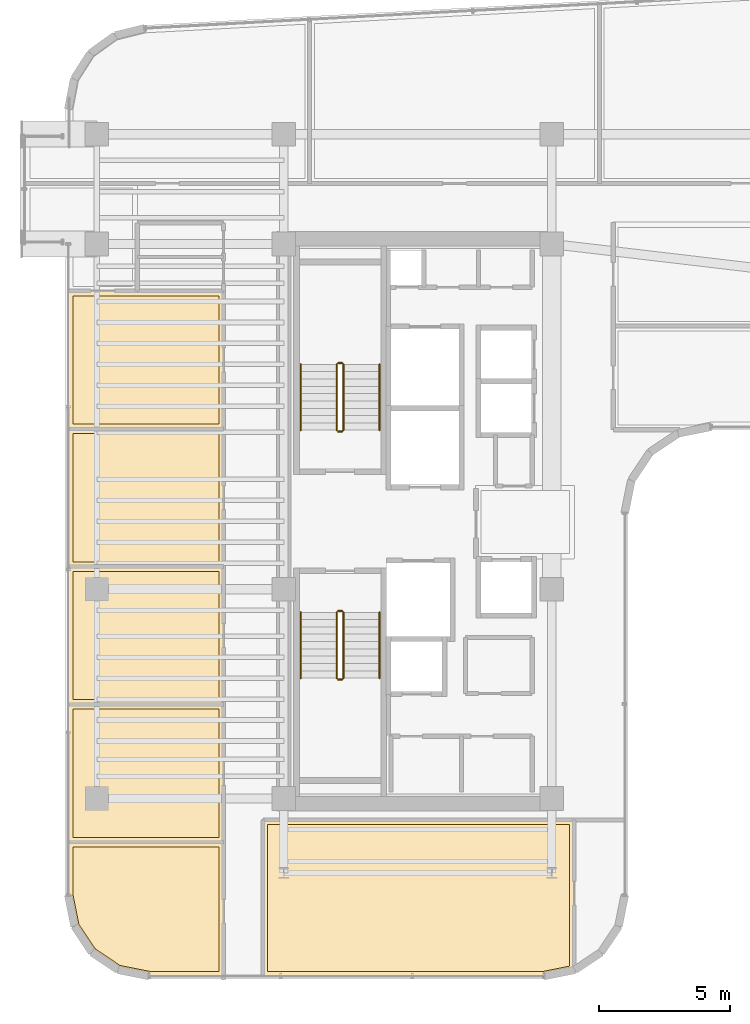
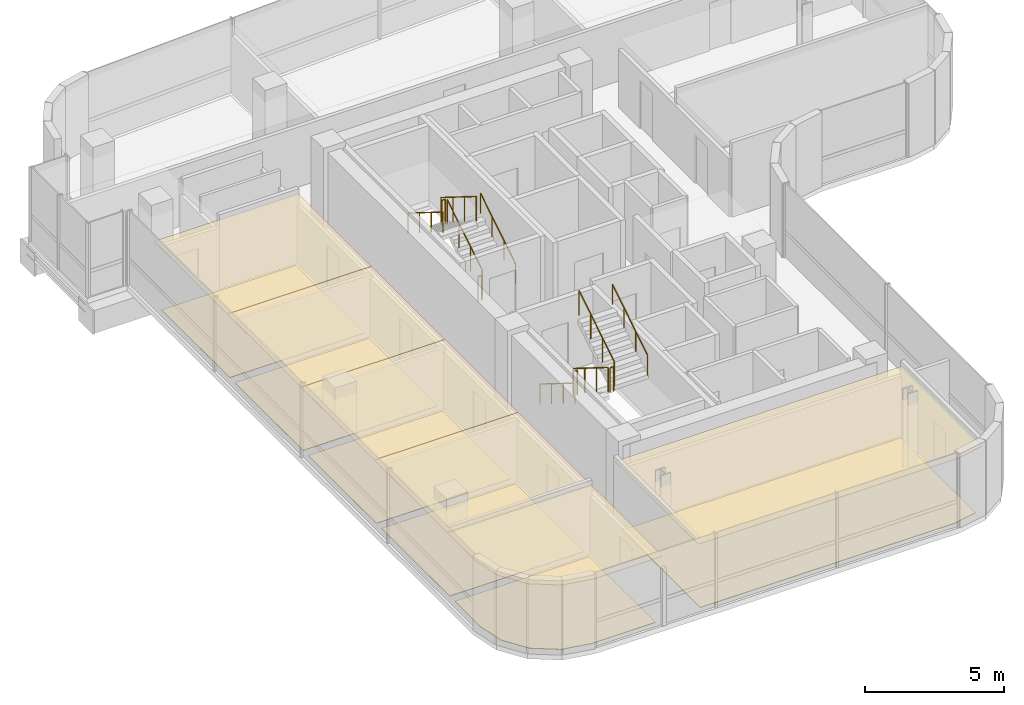
# One storey, part 20 of 21: 12 coverings, 12 railings.
"""IFC4 building model written with IfcOpenShell, lengths in metres."""

from ifc_helpers import new_model, si_unit, direction, frame, origin, origin_2d, place, context, subcontext, project, spatial, polyline, circle, outline, extrude, material, layer, layer_set, type_object, element, save


model = new_model("IFC4")

# Units and contexts
model_context = context("Model", 3, precision=1e-05, world=origin(), true_north=direction((0.0, 1.0)))
body_context = subcontext(model_context, "Body", "Model", "MODEL_VIEW")
ifc_project = project(units=[si_unit("LENGTHUNIT", "METRE"), si_unit("AREAUNIT", "SQUARE_METRE"), si_unit("VOLUMEUNIT", "CUBIC_METRE"), si_unit("PLANEANGLEUNIT", "RADIAN"), si_unit("MASSUNIT", "GRAM", prefix="KILO")], contexts=[model_context])

# Site, building, storey
site_placement = place(None, origin())
site = spatial("IfcSite", under=ifc_project, at=site_placement, CompositionType="ELEMENT")
building_placement = place(site_placement, origin())
building = spatial("IfcBuilding", under=site, at=building_placement, Name="Valdorenza Pilgrim Sanctuary Tower", CompositionType="ELEMENT")
storey_placement = place(building_placement, frame((0.0, 0.0, 223.0)))
storey = spatial("IfcBuildingStorey", under=building, at=storey_placement, Name="L57", CompositionType="ELEMENT", Elevation=223.0)

# Coverings
ifc_material_1 = material(Name="Micro-perforated acoustic mineral ceiling tile", Category="gypsum")
ifc_layer_1 = layer(ifc_material_1, 0.02490234375, Name="Micro-perforated acoustic mineral ceiling tile")
ifc_layer_set_1 = layer_set([ifc_layer_1], Name="Micro-perforated acoustic mineral ceiling tile")
covering_type_1 = type_object("IfcCoveringType", Name="COV-CLG-ACU", PredefinedType="CEILING", material=ifc_layer_set_1)
covering_1_placement = place(storey_placement, frame((0.0, 0.0, 2.9599609375)))
element("IfcCovering", 1, at=covering_1_placement, inside=storey, type_object=covering_type_1, Name="L57 Pilgrim Scholar Office L57-W1 Acoustic Ceiling", PredefinedType="CEILING", context=body_context, shape_type="SweptSolid", body=[
    extrude(outline(polyline([(-24.93505859375, -17.389892578125), (-24.93505859375, -17.3916015625), (-24.935302734375, -17.392822265625), (-24.935546875, -17.394287109375), (-24.93603515625, -17.395751953125), (-24.936767578125, -17.397216796875), (-24.9375, -17.398193359375), (-24.9384765625, -17.3994140625), (-24.939453125, -17.400634765625), (-24.9404296875, -17.401611328125), (-24.941650390625, -17.402587890625), (-24.94287109375, -17.4033203125), (-24.9443359375, -17.40380859375), (-24.945556640625, -17.404296875), (-24.947021484375, -17.40478515625), (-24.948486328125, -17.40478515625), (-24.949951171875, -17.405029296875), (-27.789306640625, -17.405029296875), (-27.79052734375, -17.40478515625), (-27.7919921875, -17.40478515625), (-28.984619140625, -17.16748046875), (-28.986083984375, -17.1669921875), (-28.9873046875, -17.16650390625), (-28.98876953125, -17.166015625), (-28.989990234375, -17.165283203125), (-29.99169921875, -16.495849609375), (-29.992919921875, -16.4951171875), (-29.993896484375, -16.493896484375), (-29.9951171875, -16.492919921875), (-29.995849609375, -16.49169921875), (-30.665283203125, -15.489990234375), (-30.666015625, -15.48876953125), (-30.66650390625, -15.4873046875), (-30.6669921875, -15.486083984375), (-30.66748046875, -15.484619140625), (-30.90478515625, -14.2919921875), (-30.90478515625, -14.29052734375), (-30.905029296875, -14.289306640625), (-30.905029296875, -12.27197265625), (-30.90478515625, -12.2705078125), (-30.90478515625, -12.26904296875), (-30.904296875, -12.267578125), (-30.90380859375, -12.266357421875), (-30.9033203125, -12.264892578125), (-30.902587890625, -12.263671875), (-30.901611328125, -12.262451171875), (-30.900634765625, -12.261474609375), (-30.8994140625, -12.260498046875), (-30.898193359375, -12.259521484375), (-30.897216796875, -12.2587890625), (-30.895751953125, -12.258056640625), (-30.894287109375, -12.257568359375), (-30.892822265625, -12.25732421875), (-30.8916015625, -12.257080078125), (-30.889892578125, -12.257080078125), (-24.949951171875, -12.257080078125), (-24.948486328125, -12.257080078125), (-24.947021484375, -12.25732421875), (-24.945556640625, -12.257568359375), (-24.9443359375, -12.258056640625), (-24.94287109375, -12.2587890625), (-24.941650390625, -12.259521484375), (-24.9404296875, -12.260498046875), (-24.939453125, -12.261474609375), (-24.9384765625, -12.262451171875), (-24.9375, -12.263671875), (-24.936767578125, -12.264892578125), (-24.93603515625, -12.266357421875), (-24.935546875, -12.267578125), (-24.935302734375, -12.26904296875), (-24.93505859375, -12.2705078125), (-24.93505859375, -12.27197265625), (-24.93505859375, -17.389892578125)])), origin(), (0.0, 0.0, 1.0), 0.025146484375),
])
covering_2_placement = place(storey_placement, frame((0.0, 0.0, 2.9599609375)))
element("IfcCovering", 2, at=covering_2_placement, inside=storey, type_object=covering_type_1, Name="L57 Pilgrim Scholar Office L57-W2 Acoustic Ceiling", PredefinedType="CEILING", context=body_context, shape_type="SweptSolid", body=[
    extrude(outline(polyline([(-24.93505859375, -12.27001953125), (-24.93505859375, -12.271484375), (-24.935302734375, -12.27294921875), (-24.935546875, -12.2744140625), (-24.93603515625, -12.275634765625), (-24.936767578125, -12.277099609375), (-24.9375, -12.2783203125), (-24.9384765625, -12.279541015625), (-24.939453125, -12.280517578125), (-24.9404296875, -12.281494140625), (-24.941650390625, -12.282470703125), (-24.94287109375, -12.283203125), (-24.9443359375, -12.283935546875), (-24.945556640625, -12.284423828125), (-24.947021484375, -12.28466796875), (-24.948486328125, -12.284912109375), (-24.949951171875, -12.284912109375), (-30.889892578125, -12.284912109375), (-30.8916015625, -12.284912109375), (-30.892822265625, -12.28466796875), (-30.894287109375, -12.284423828125), (-30.895751953125, -12.283935546875), (-30.897216796875, -12.283203125), (-30.898193359375, -12.282470703125), (-30.8994140625, -12.281494140625), (-30.900634765625, -12.280517578125), (-30.901611328125, -12.279541015625), (-30.902587890625, -12.2783203125), (-30.9033203125, -12.277099609375), (-30.90380859375, -12.275634765625), (-30.904296875, -12.2744140625), (-30.90478515625, -12.27294921875), (-30.90478515625, -12.271484375), (-30.905029296875, -12.27001953125), (-30.905029296875, -7.00390625), (-30.90478515625, -7.00244140625), (-30.90478515625, -7.001220703125), (-30.904296875, -6.99951171875), (-30.90380859375, -6.998291015625), (-30.9033203125, -6.996826171875), (-30.902587890625, -6.99560546875), (-30.901611328125, -6.994384765625), (-30.900634765625, -6.993408203125), (-30.8994140625, -6.992431640625), (-30.898193359375, -6.991455078125), (-30.897216796875, -6.99072265625), (-30.895751953125, -6.989990234375), (-30.894287109375, -6.989501953125), (-30.892822265625, -6.9892578125), (-30.8916015625, -6.989013671875), (-30.889892578125, -6.989013671875), (-24.949951171875, -6.989013671875), (-24.948486328125, -6.989013671875), (-24.947021484375, -6.9892578125), (-24.945556640625, -6.989501953125), (-24.9443359375, -6.989990234375), (-24.94287109375, -6.99072265625), (-24.941650390625, -6.991455078125), (-24.9404296875, -6.992431640625), (-24.939453125, -6.993408203125), (-24.9384765625, -6.994384765625), (-24.9375, -6.99560546875), (-24.936767578125, -6.996826171875), (-24.93603515625, -6.998291015625), (-24.935546875, -6.99951171875), (-24.935302734375, -7.001220703125), (-24.93505859375, -7.00244140625), (-24.93505859375, -7.00390625), (-24.93505859375, -12.27001953125)])), origin(), (0.0, 0.0, 1.0), 0.025146484375),
])
covering_3_placement = place(storey_placement, frame((0.0, 0.0, 2.9599609375)))
element("IfcCovering", 3, at=covering_3_placement, inside=storey, type_object=covering_type_1, Name="L57 Pilgrim Scholar Office L57-W3 Acoustic Ceiling", PredefinedType="CEILING", context=body_context, shape_type="SweptSolid", body=[
    extrude(outline(polyline([(-24.93505859375, -7.001953125), (-24.93505859375, -7.00341796875), (-24.935302734375, -7.0048828125), (-24.935546875, -7.00634765625), (-24.93603515625, -7.0078125), (-24.936767578125, -7.009033203125), (-24.9375, -7.01025390625), (-24.9384765625, -7.011474609375), (-24.939453125, -7.0126953125), (-24.9404296875, -7.013671875), (-24.941650390625, -7.014404296875), (-24.94287109375, -7.01513671875), (-24.9443359375, -7.015869140625), (-24.945556640625, -7.016357421875), (-24.947021484375, -7.0166015625), (-24.948486328125, -7.016845703125), (-24.949951171875, -7.01708984375), (-30.889892578125, -7.01708984375), (-30.8916015625, -7.016845703125), (-30.892822265625, -7.0166015625), (-30.894287109375, -7.016357421875), (-30.895751953125, -7.015869140625), (-30.897216796875, -7.01513671875), (-30.898193359375, -7.014404296875), (-30.8994140625, -7.013671875), (-30.900634765625, -7.0126953125), (-30.901611328125, -7.011474609375), (-30.902587890625, -7.01025390625), (-30.9033203125, -7.009033203125), (-30.90380859375, -7.0078125), (-30.904296875, -7.00634765625), (-30.90478515625, -7.0048828125), (-30.90478515625, -7.00341796875), (-30.905029296875, -7.001953125), (-30.905029296875, -1.736083984375), (-30.90478515625, -1.734619140625), (-30.90478515625, -1.733154296875), (-30.904296875, -1.731689453125), (-30.90380859375, -1.730224609375), (-30.9033203125, -1.72900390625), (-30.902587890625, -1.727783203125), (-30.901611328125, -1.7265625), (-30.900634765625, -1.725341796875), (-30.8994140625, -1.724365234375), (-30.898193359375, -1.723388671875), (-30.897216796875, -1.722900390625), (-30.895751953125, -1.72216796875), (-30.894287109375, -1.7216796875), (-30.892822265625, -1.72119140625), (-30.8916015625, -1.72119140625), (-30.889892578125, -1.720947265625), (-24.949951171875, -1.720947265625), (-24.948486328125, -1.72119140625), (-24.947021484375, -1.72119140625), (-24.945556640625, -1.7216796875), (-24.9443359375, -1.72216796875), (-24.94287109375, -1.722900390625), (-24.941650390625, -1.723388671875), (-24.9404296875, -1.724365234375), (-24.939453125, -1.725341796875), (-24.9384765625, -1.7265625), (-24.9375, -1.727783203125), (-24.936767578125, -1.72900390625), (-24.93603515625, -1.730224609375), (-24.935546875, -1.731689453125), (-24.935302734375, -1.733154296875), (-24.93505859375, -1.734619140625), (-24.93505859375, -1.736083984375), (-24.93505859375, -7.001953125)])), origin(), (0.0, 0.0, 1.0), 0.025146484375),
])
covering_4_placement = place(storey_placement, frame((0.0, 0.0, 2.9599609375)))
element("IfcCovering", 4, at=covering_4_placement, inside=storey, type_object=covering_type_1, Name="L57 Pilgrim Scholar Office L57-W4 Acoustic Ceiling", PredefinedType="CEILING", context=body_context, shape_type="SweptSolid", body=[
    extrude(outline(polyline([(-24.93505859375, -1.73388671875), (-24.93505859375, -1.735595703125), (-24.935302734375, -1.73681640625), (-24.935546875, -1.73828125), (-24.93603515625, -1.73974609375), (-24.936767578125, -1.7412109375), (-24.9375, -1.7421875), (-24.9384765625, -1.743408203125), (-24.939453125, -1.74462890625), (-24.9404296875, -1.74560546875), (-24.941650390625, -1.74658203125), (-24.94287109375, -1.747314453125), (-24.9443359375, -1.747802734375), (-24.945556640625, -1.748291015625), (-24.947021484375, -1.748779296875), (-24.948486328125, -1.748779296875), (-24.949951171875, -1.7490234375), (-30.889892578125, -1.7490234375), (-30.8916015625, -1.748779296875), (-30.892822265625, -1.748779296875), (-30.894287109375, -1.748291015625), (-30.895751953125, -1.747802734375), (-30.897216796875, -1.747314453125), (-30.898193359375, -1.74658203125), (-30.8994140625, -1.74560546875), (-30.900634765625, -1.74462890625), (-30.901611328125, -1.743408203125), (-30.902587890625, -1.7421875), (-30.9033203125, -1.7412109375), (-30.90380859375, -1.73974609375), (-30.904296875, -1.73828125), (-30.90478515625, -1.73681640625), (-30.90478515625, -1.735595703125), (-30.905029296875, -1.73388671875), (-30.905029296875, 3.531982421875), (-30.90478515625, 3.533447265625), (-30.90478515625, 3.534912109375), (-30.904296875, 3.536376953125), (-30.90380859375, 3.53759765625), (-30.9033203125, 3.5390625), (-30.902587890625, 3.540283203125), (-30.901611328125, 3.54150390625), (-30.900634765625, 3.54248046875), (-30.8994140625, 3.543701171875), (-30.898193359375, 3.54443359375), (-30.897216796875, 3.545166015625), (-30.895751953125, 3.5458984375), (-30.894287109375, 3.54638671875), (-30.892822265625, 3.546630859375), (-30.8916015625, 3.546875), (-30.889892578125, 3.547119140625), (-24.949951171875, 3.547119140625), (-24.948486328125, 3.546875), (-24.947021484375, 3.546630859375), (-24.945556640625, 3.54638671875), (-24.9443359375, 3.5458984375), (-24.94287109375, 3.545166015625), (-24.941650390625, 3.54443359375), (-24.9404296875, 3.543701171875), (-24.939453125, 3.54248046875), (-24.9384765625, 3.54150390625), (-24.9375, 3.540283203125), (-24.936767578125, 3.5390625), (-24.93603515625, 3.53759765625), (-24.935546875, 3.536376953125), (-24.935302734375, 3.534912109375), (-24.93505859375, 3.533447265625), (-24.93505859375, 3.531982421875), (-24.93505859375, -1.73388671875)])), origin(), (0.0, 0.0, 1.0), 0.025146484375),
])
covering_5_placement = place(storey_placement, frame((0.0, 0.0, 2.9599609375)))
element("IfcCovering", 5, at=covering_5_placement, inside=storey, type_object=covering_type_1, Name="L57 Pilgrim Scholar Office L57-W5 Acoustic Ceiling", PredefinedType="CEILING", context=body_context, shape_type="SweptSolid", body=[
    extrude(outline(polyline([(-28.253662109375, 8.81298828125), (-28.253173828125, 8.81298828125), (-28.25146484375, 8.813232421875), (-28.25, 8.813232421875), (-28.24853515625, 8.81298828125), (-28.248291015625, 8.81298828125), (-24.949951171875, 8.81298828125), (-24.948486328125, 8.81298828125), (-24.947021484375, 8.812744140625), (-24.945556640625, 8.8125), (-24.9443359375, 8.81201171875), (-24.94287109375, 8.811279296875), (-24.941650390625, 8.810546875), (-24.9404296875, 8.8095703125), (-24.939453125, 8.80859375), (-24.9384765625, 8.8076171875), (-24.9375, 8.806396484375), (-24.936767578125, 8.80517578125), (-24.93603515625, 8.8037109375), (-24.935546875, 8.802490234375), (-24.935302734375, 8.80078125), (-24.93505859375, 8.799560546875), (-24.93505859375, 8.798095703125), (-24.93505859375, 3.533935546875), (-24.93505859375, 3.532470703125), (-24.935302734375, 3.531005859375), (-24.935546875, 3.529541015625), (-24.93603515625, 3.5283203125), (-24.936767578125, 3.52685546875), (-24.9375, 3.525634765625), (-24.9384765625, 3.5244140625), (-24.939453125, 3.5234375), (-24.9404296875, 3.5224609375), (-24.941650390625, 3.521484375), (-24.94287109375, 3.520751953125), (-24.9443359375, 3.52001953125), (-24.945556640625, 3.51953125), (-24.947021484375, 3.519287109375), (-24.948486328125, 3.51904296875), (-24.949951171875, 3.51904296875), (-30.889892578125, 3.51904296875), (-30.8916015625, 3.51904296875), (-30.892822265625, 3.519287109375), (-30.894287109375, 3.51953125), (-30.895751953125, 3.52001953125), (-30.897216796875, 3.520751953125), (-30.898193359375, 3.521484375), (-30.8994140625, 3.5224609375), (-30.900634765625, 3.5234375), (-30.901611328125, 3.5244140625), (-30.902587890625, 3.525634765625), (-30.9033203125, 3.52685546875), (-30.90380859375, 3.5283203125), (-30.904296875, 3.529541015625), (-30.90478515625, 3.531005859375), (-30.90478515625, 3.532470703125), (-30.905029296875, 3.533935546875), (-30.905029296875, 8.798095703125), (-30.90478515625, 8.799560546875), (-30.90478515625, 8.80078125), (-30.904296875, 8.802490234375), (-30.90380859375, 8.8037109375), (-30.9033203125, 8.80517578125), (-30.902587890625, 8.806396484375), (-30.901611328125, 8.8076171875), (-30.900634765625, 8.80859375), (-30.8994140625, 8.8095703125), (-30.898193359375, 8.810546875), (-30.897216796875, 8.811279296875), (-30.895751953125, 8.81201171875), (-30.894287109375, 8.8125), (-30.892822265625, 8.812744140625), (-30.8916015625, 8.81298828125), (-30.889892578125, 8.81298828125), (-28.253662109375, 8.81298828125)])), origin(), (0.0, 0.0, 1.0), 0.025146484375),
])
covering_6_placement = place(storey_placement, frame((0.0, 0.0, 2.9599609375)))
element("IfcCovering", 6, at=covering_6_placement, inside=storey, type_object=covering_type_1, Name="L57 South Contemplation Lounge L57 Acoustic Ceiling", PredefinedType="CEILING", context=body_context, shape_type="SweptSolid", body=[
    extrude(outline(polyline([(-11.550048828125, -11.405029296875), (-11.548583984375, -11.405029296875), (-11.547119140625, -11.4052734375), (-11.545654296875, -11.405517578125), (-11.544189453125, -11.406005859375), (-11.54296875, -11.40673828125), (-11.541748046875, -11.407470703125), (-11.54052734375, -11.408447265625), (-11.539306640625, -11.409423828125), (-11.538330078125, -11.410400390625), (-11.53759765625, -11.41162109375), (-11.536865234375, -11.412841796875), (-11.5361328125, -11.414306640625), (-11.53564453125, -11.41552734375), (-11.535400390625, -11.4169921875), (-11.53515625, -11.41845703125), (-11.534912109375, -11.419921875), (-11.534912109375, -17.1591796875), (-11.53515625, -17.16064453125), (-11.535400390625, -17.162109375), (-11.53564453125, -17.163330078125), (-11.5361328125, -17.164794921875), (-11.536865234375, -17.166259765625), (-11.53759765625, -17.16748046875), (-11.538330078125, -17.168701171875), (-11.539306640625, -17.169677734375), (-11.54052734375, -17.170654296875), (-11.541748046875, -17.171630859375), (-11.54296875, -17.17236328125), (-11.544189453125, -17.1728515625), (-11.545654296875, -17.17333984375), (-11.547119140625, -17.173828125), (-12.7080078125, -17.40478515625), (-12.70947265625, -17.40478515625), (-12.710693359375, -17.405029296875), (-23.449951171875, -17.405029296875), (-23.451416015625, -17.40478515625), (-23.452880859375, -17.40478515625), (-23.454345703125, -17.404296875), (-23.455810546875, -17.40380859375), (-23.45703125, -17.4033203125), (-23.458251953125, -17.402587890625), (-23.45947265625, -17.401611328125), (-23.460693359375, -17.400634765625), (-23.461669921875, -17.3994140625), (-23.46240234375, -17.398193359375), (-23.463134765625, -17.397216796875), (-23.4638671875, -17.395751953125), (-23.46435546875, -17.394287109375), (-23.464599609375, -17.392822265625), (-23.46484375, -17.3916015625), (-23.465087890625, -17.389892578125), (-23.465087890625, -11.419921875), (-23.46484375, -11.41845703125), (-23.464599609375, -11.4169921875), (-23.46435546875, -11.41552734375), (-23.4638671875, -11.414306640625), (-23.463134765625, -11.412841796875), (-23.46240234375, -11.41162109375), (-23.461669921875, -11.410400390625), (-23.460693359375, -11.409423828125), (-23.45947265625, -11.408447265625), (-23.458251953125, -11.407470703125), (-23.45703125, -11.40673828125), (-23.455810546875, -11.406005859375), (-23.454345703125, -11.405517578125), (-23.452880859375, -11.4052734375), (-23.451416015625, -11.405029296875), (-23.449951171875, -11.405029296875), (-11.550048828125, -11.405029296875)])), origin(), (0.0, 0.0, 1.0), 0.025146484375),
])
ifc_material_2 = material(Name="Honed travertine stone flooring", Category="masonry")
ifc_layer_2 = layer(ifc_material_2, 0.030029296875, Name="Honed travertine stone flooring")
ifc_layer_set_2 = layer_set([ifc_layer_2], Name="Honed travertine stone flooring")
covering_type_2 = type_object("IfcCoveringType", Name="COV-FLR-TRV", PredefinedType="FLOORING", material=ifc_layer_set_2)
covering_7_placement = place(storey_placement, origin())
element("IfcCovering", 7, at=covering_7_placement, inside=storey, type_object=covering_type_2, Name="L57 Pilgrim Scholar Office L57-W1 Flooring", PredefinedType="FLOORING", context=body_context, shape_type="SweptSolid", body=[
    extrude(outline(polyline([(-25.1298828125, -17.2099609375), (-27.771484375, -17.2099609375), (-28.911376953125, -16.983154296875), (-29.853515625, -16.353515625), (-30.483154296875, -15.411376953125), (-30.7099609375, -14.271484375), (-30.7099609375, -12.451904296875), (-25.1298828125, -12.451904296875), (-25.1298828125, -17.2099609375)])), origin(), (0.0, 0.0, 1.0), 0.02490234375),
])
covering_8_placement = place(storey_placement, origin())
element("IfcCovering", 8, at=covering_8_placement, inside=storey, type_object=covering_type_2, Name="L57 Pilgrim Scholar Office L57-W2 Flooring", PredefinedType="FLOORING", context=body_context, shape_type="SweptSolid", body=[
    extrude(outline(polyline([(-25.1298828125, -12.090087890625), (-30.7099609375, -12.090087890625), (-30.7099609375, -7.18408203125), (-25.1298828125, -7.18408203125), (-25.1298828125, -12.090087890625)])), origin(), (0.0, 0.0, 1.0), 0.02490234375),
])
covering_9_placement = place(storey_placement, origin())
element("IfcCovering", 9, at=covering_9_placement, inside=storey, type_object=covering_type_2, Name="L57 Pilgrim Scholar Office L57-W3 Flooring", PredefinedType="FLOORING", context=body_context, shape_type="SweptSolid", body=[
    extrude(outline(polyline([(-25.1298828125, -6.822021484375), (-30.7099609375, -6.822021484375), (-30.7099609375, -1.916015625), (-25.1298828125, -1.916015625), (-25.1298828125, -6.822021484375)])), origin(), (0.0, 0.0, 1.0), 0.02490234375),
])
covering_10_placement = place(storey_placement, origin())
element("IfcCovering", 10, at=covering_10_placement, inside=storey, type_object=covering_type_2, Name="L57 Pilgrim Scholar Office L57-W4 Flooring", PredefinedType="FLOORING", context=body_context, shape_type="SweptSolid", body=[
    extrude(outline(polyline([(-25.1298828125, -1.553955078125), (-30.7099609375, -1.553955078125), (-30.7099609375, 3.35205078125), (-25.1298828125, 3.35205078125), (-25.1298828125, -1.553955078125)])), origin(), (0.0, 0.0, 1.0), 0.02490234375),
])
covering_11_placement = place(storey_placement, origin())
element("IfcCovering", 11, at=covering_11_placement, inside=storey, type_object=covering_type_2, Name="L57 Pilgrim Scholar Office L57-W5 Flooring", PredefinedType="FLOORING", context=body_context, shape_type="SweptSolid", body=[
    extrude(outline(polyline([(-28.250244140625, 8.617919921875), (-28.25, 8.617919921875), (-25.1298828125, 8.617919921875), (-25.1298828125, 3.714111328125), (-30.7099609375, 3.714111328125), (-30.7099609375, 8.617919921875), (-28.251953125, 8.617919921875), (-28.2509765625, 8.617919921875), (-28.250244140625, 8.617919921875)])), origin(), (0.0, 0.0, 1.0), 0.02490234375),
])
covering_12_placement = place(storey_placement, origin())
element("IfcCovering", 12, at=covering_12_placement, inside=storey, type_object=covering_type_2, Name="L57 South Contemplation Lounge L57 Flooring", PredefinedType="FLOORING", context=body_context, shape_type="SweptSolid", body=[
    extrude(outline(polyline([(-11.72998046875, -11.60009765625), (-11.72998046875, -17.011474609375), (-12.728515625, -17.2099609375), (-23.27001953125, -17.2099609375), (-23.27001953125, -11.60009765625), (-11.72998046875, -11.60009765625)])), origin(), (0.0, 0.0, 1.0), 0.02490234375),
])

# Railings
ifc_material_3 = material(Name="Stainless steel Grade 316", Category="steel")
railing_type_1 = type_object("IfcRailingType", Name="RLG-GRD-1120", PredefinedType="GUARDRAIL", material=ifc_material_3)
railing_1_placement = place(storey_placement, frame((-20.3701171875, 3.47998046875, 0.175048828125)))
element("IfcRailing", 13, at=railing_1_placement, inside=storey, type_object=railing_type_1, Name="L57 ST-A1 stair guard 1", PredefinedType="GUARDRAIL", context=body_context, shape_type="SweptSolid", body=[
    extrude(circle(Radius=0.02392578125, at=origin_2d()), frame((0.0, 0.0, 1.076171875), z_axis=(0.0, 0.848007534815, 0.529984170421), x_axis=(-1.0, 0.0, 0.0)), (0.0, 0.0, 1.0), 2.9716796875),
    extrude(circle(Radius=0.02099609375, at=origin_2d()), origin(), (0.0, 0.0, 1.0), 1.052001953125),
    extrude(circle(Radius=0.02099609375, at=origin_2d()), frame((0.0, 0.840087890625, 0.52490234375)), (0.0, 0.0, 1.0), 1.052001953125),
    extrude(circle(Radius=0.02099609375, at=origin_2d()), frame((0.0, 1.679931640625, 1.050048828125)), (0.0, 0.0, 1.0), 1.052001953125),
    extrude(circle(Radius=0.02099609375, at=origin_2d()), frame((0.0, 2.52001953125, 1.574951171875)), (0.0, 0.0, 1.0), 1.052001953125),
])
railing_2_placement = place(storey_placement, frame((-20.419921875, 6.050048828125, 1.75)))
element("IfcRailing", 14, at=railing_2_placement, inside=storey, type_object=railing_type_1, Name="L57 ST-A1 stair guard 2", PredefinedType="GUARDRAIL", context=body_context, shape_type="SweptSolid", body=[
    extrude(circle(Radius=0.02392578125, at=origin_2d()), frame((0.0, 0.0, 1.076171875), z_axis=(-1.0, 0.0, 0.0), x_axis=(0.0, -1.0, 0.0)), (0.0, 0.0, 1.0), 0.150146484375),
    extrude(circle(Radius=0.02099609375, at=origin_2d()), origin(), (0.0, 0.0, 1.0), 1.052001953125),
    extrude(circle(Radius=0.02099609375, at=origin_2d()), frame((-0.150146484375, 0.0, 0.0)), (0.0, 0.0, 1.0), 1.052001953125),
])
railing_3_placement = place(storey_placement, frame((-20.6201171875, 6.0, 1.925048828125)))
element("IfcRailing", 15, at=railing_3_placement, inside=storey, type_object=railing_type_1, Name="L57 ST-A1 stair guard 3", PredefinedType="GUARDRAIL", context=body_context, shape_type="SweptSolid", body=[
    extrude(circle(Radius=0.02392578125, at=origin_2d()), frame((0.0, 0.0, 1.076171875), z_axis=(0.0, -0.848007534815, 0.529984170421), x_axis=(1.0, 0.0, 0.0)), (0.0, 0.0, 1.0), 2.9716796875),
    extrude(circle(Radius=0.02099609375, at=origin_2d()), origin(), (0.0, 0.0, 1.0), 1.052001953125),
    extrude(circle(Radius=0.02099609375, at=origin_2d()), frame((0.0, -0.840087890625, 0.52490234375)), (0.0, 0.0, 1.0), 1.052001953125),
    extrude(circle(Radius=0.02099609375, at=origin_2d()), frame((0.0, -1.679931640625, 1.050048828125)), (0.0, 0.0, 1.0), 1.052001953125),
    extrude(circle(Radius=0.02099609375, at=origin_2d()), frame((0.0, -2.52001953125, 1.574951171875)), (0.0, 0.0, 1.0), 1.052001953125),
])
railing_4_placement = place(storey_placement, frame((-20.419921875, 3.429931640625, 0.0)))
element("IfcRailing", 16, at=railing_4_placement, inside=storey, type_object=railing_type_1, Name="L57 ST-A1 stair guard 4", PredefinedType="GUARDRAIL", context=body_context, shape_type="SweptSolid", body=[
    extrude(circle(Radius=0.02392578125, at=origin_2d()), frame((0.0, 0.0, 1.076171875), z_axis=(-1.0, 0.0, 0.0), x_axis=(0.0, -1.0, 0.0)), (0.0, 0.0, 1.0), 0.150146484375),
    extrude(circle(Radius=0.02099609375, at=origin_2d()), origin(), (0.0, 0.0, 1.0), 1.052001953125),
    extrude(circle(Radius=0.02099609375, at=origin_2d()), frame((-0.150146484375, 0.0, 0.0)), (0.0, 0.0, 1.0), 1.052001953125),
])
railing_5_placement = place(storey_placement, frame((-20.6201171875, -3.47998046875, 0.175048828125)))
element("IfcRailing", 17, at=railing_5_placement, inside=storey, type_object=railing_type_1, Name="L57 ST-A2 stair guard 1", PredefinedType="GUARDRAIL", context=body_context, shape_type="SweptSolid", body=[
    extrude(circle(Radius=0.02392578125, at=origin_2d()), frame((0.0, 0.0, 1.076171875), z_axis=(0.0, -0.848007534815, 0.529984170421), x_axis=(1.0, 0.0, 0.0)), (0.0, 0.0, 1.0), 2.9716796875),
    extrude(circle(Radius=0.02099609375, at=origin_2d()), origin(), (0.0, 0.0, 1.0), 1.052001953125),
    extrude(circle(Radius=0.02099609375, at=origin_2d()), frame((0.0, -0.840087890625, 0.52490234375)), (0.0, 0.0, 1.0), 1.052001953125),
    extrude(circle(Radius=0.02099609375, at=origin_2d()), frame((0.0, -1.679931640625, 1.050048828125)), (0.0, 0.0, 1.0), 1.052001953125),
    extrude(circle(Radius=0.02099609375, at=origin_2d()), frame((0.0, -2.52001953125, 1.574951171875)), (0.0, 0.0, 1.0), 1.052001953125),
])
railing_6_placement = place(storey_placement, frame((-20.570068359375, -6.050048828125, 1.75)))
element("IfcRailing", 18, at=railing_6_placement, inside=storey, type_object=railing_type_1, Name="L57 ST-A2 stair guard 2", PredefinedType="GUARDRAIL", context=body_context, shape_type="SweptSolid", body=[
    extrude(circle(Radius=0.02392578125, at=origin_2d()), frame((0.0, 0.0, 1.076171875), z_axis=(1.0, 0.0, 0.0), x_axis=(0.0, 1.0, 0.0)), (0.0, 0.0, 1.0), 0.150146484375),
    extrude(circle(Radius=0.02099609375, at=origin_2d()), origin(), (0.0, 0.0, 1.0), 1.052001953125),
    extrude(circle(Radius=0.02099609375, at=origin_2d()), frame((0.150146484375, 0.0, 0.0)), (0.0, 0.0, 1.0), 1.052001953125),
])
railing_7_placement = place(storey_placement, frame((-20.3701171875, -6.0, 1.925048828125)))
element("IfcRailing", 19, at=railing_7_placement, inside=storey, type_object=railing_type_1, Name="L57 ST-A2 stair guard 3", PredefinedType="GUARDRAIL", context=body_context, shape_type="SweptSolid", body=[
    extrude(circle(Radius=0.02392578125, at=origin_2d()), frame((0.0, 0.0, 1.076171875), z_axis=(0.0, 0.848007534815, 0.529984170421), x_axis=(-1.0, 0.0, 0.0)), (0.0, 0.0, 1.0), 2.9716796875),
    extrude(circle(Radius=0.02099609375, at=origin_2d()), origin(), (0.0, 0.0, 1.0), 1.052001953125),
    extrude(circle(Radius=0.02099609375, at=origin_2d()), frame((0.0, 0.840087890625, 0.52490234375)), (0.0, 0.0, 1.0), 1.052001953125),
    extrude(circle(Radius=0.02099609375, at=origin_2d()), frame((0.0, 1.679931640625, 1.050048828125)), (0.0, 0.0, 1.0), 1.052001953125),
    extrude(circle(Radius=0.02099609375, at=origin_2d()), frame((0.0, 2.52001953125, 1.574951171875)), (0.0, 0.0, 1.0), 1.052001953125),
])
railing_8_placement = place(storey_placement, frame((-20.570068359375, -3.429931640625, 0.0)))
element("IfcRailing", 20, at=railing_8_placement, inside=storey, type_object=railing_type_1, Name="L57 ST-A2 stair guard 4", PredefinedType="GUARDRAIL", context=body_context, shape_type="SweptSolid", body=[
    extrude(circle(Radius=0.02392578125, at=origin_2d()), frame((0.0, 0.0, 1.076171875), z_axis=(1.0, 0.0, 0.0), x_axis=(0.0, 1.0, 0.0)), (0.0, 0.0, 1.0), 0.150146484375),
    extrude(circle(Radius=0.02099609375, at=origin_2d()), origin(), (0.0, 0.0, 1.0), 1.052001953125),
    extrude(circle(Radius=0.02099609375, at=origin_2d()), frame((0.150146484375, 0.0, 0.0)), (0.0, 0.0, 1.0), 1.052001953125),
])
ifc_material_4 = material(Name="Brushed stainless steel Grade 316", Category="steel")
railing_type_2 = type_object("IfcRailingType", Name="RLG-HND-920", PredefinedType="HANDRAIL", material=ifc_material_4)
railing_9_placement = place(storey_placement, frame((-18.989990234375, 3.47998046875, 0.175048828125)))
element("IfcRailing", 21, at=railing_9_placement, inside=storey, type_object=railing_type_2, Name="L57 ST-A1 stair handrail 1", PredefinedType="HANDRAIL", context=body_context, shape_type="SweptSolid", body=[
    extrude(circle(Radius=0.02392578125, at=origin_2d()), frame((0.0, 0.0, 0.8759765625), z_axis=(0.0, 0.848007534815, 0.529984170421), x_axis=(-1.0, 0.0, 0.0)), (0.0, 0.0, 1.0), 2.9716796875),
    extrude(circle(Radius=0.02099609375, at=origin_2d()), origin(), (0.0, 0.0, 1.0), 0.851806640625),
    extrude(circle(Radius=0.02099609375, at=origin_2d()), frame((0.0, 0.840087890625, 0.52490234375)), (0.0, 0.0, 1.0), 0.851806640625),
    extrude(circle(Radius=0.02099609375, at=origin_2d()), frame((0.0, 1.679931640625, 1.050048828125)), (0.0, 0.0, 1.0), 0.851806640625),
    extrude(circle(Radius=0.02099609375, at=origin_2d()), frame((0.0, 2.52001953125, 1.574951171875)), (0.0, 0.0, 1.0), 0.851806640625),
])
for number, where, name in (
    (22, (-22.0, 6.0, 1.925048828125), "L57 ST-A1 stair handrail 2"),
    (23, (-22.0, -3.47998046875, 0.175048828125), "L57 ST-A2 stair handrail 1"),
):
    element("IfcRailing", number, at=place(storey_placement, frame(where)), inside=storey, type_object=railing_type_2, Name=name, PredefinedType="HANDRAIL", context=body_context, shape_type="SweptSolid", body=[
        extrude(circle(Radius=0.02392578125, at=origin_2d()), frame((0.0, 0.0, 0.8759765625), z_axis=(0.0, -0.848007534815, 0.529984170421), x_axis=(1.0, 0.0, 0.0)), (0.0, 0.0, 1.0), 2.9716796875),
        extrude(circle(Radius=0.02099609375, at=origin_2d()), origin(), (0.0, 0.0, 1.0), 0.851806640625),
        extrude(circle(Radius=0.02099609375, at=origin_2d()), frame((0.0, -0.840087890625, 0.52490234375)), (0.0, 0.0, 1.0), 0.851806640625),
        extrude(circle(Radius=0.02099609375, at=origin_2d()), frame((0.0, -1.679931640625, 1.050048828125)), (0.0, 0.0, 1.0), 0.851806640625),
        extrude(circle(Radius=0.02099609375, at=origin_2d()), frame((0.0, -2.52001953125, 1.574951171875)), (0.0, 0.0, 1.0), 0.851806640625),
    ])
railing_10_placement = place(storey_placement, frame((-18.989990234375, -6.0, 1.925048828125)))
element("IfcRailing", 24, at=railing_10_placement, inside=storey, type_object=railing_type_2, Name="L57 ST-A2 stair handrail 2", PredefinedType="HANDRAIL", context=body_context, shape_type="SweptSolid", body=[
    extrude(circle(Radius=0.02392578125, at=origin_2d()), frame((0.0, 0.0, 0.8759765625), z_axis=(0.0, 0.848007534815, 0.529984170421), x_axis=(-1.0, 0.0, 0.0)), (0.0, 0.0, 1.0), 2.9716796875),
    extrude(circle(Radius=0.02099609375, at=origin_2d()), origin(), (0.0, 0.0, 1.0), 0.851806640625),
    extrude(circle(Radius=0.02099609375, at=origin_2d()), frame((0.0, 0.840087890625, 0.52490234375)), (0.0, 0.0, 1.0), 0.851806640625),
    extrude(circle(Radius=0.02099609375, at=origin_2d()), frame((0.0, 1.679931640625, 1.050048828125)), (0.0, 0.0, 1.0), 0.851806640625),
    extrude(circle(Radius=0.02099609375, at=origin_2d()), frame((0.0, 2.52001953125, 1.574951171875)), (0.0, 0.0, 1.0), 0.851806640625),
])

save(model, "model.ifc")
